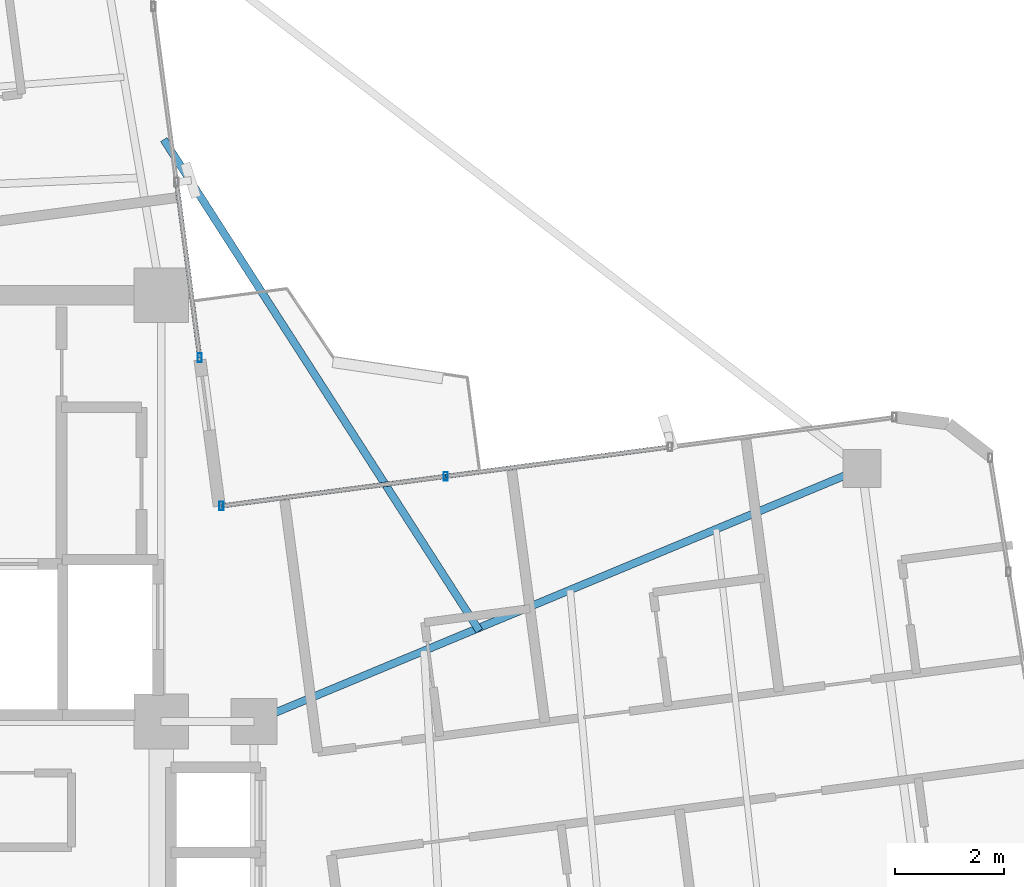
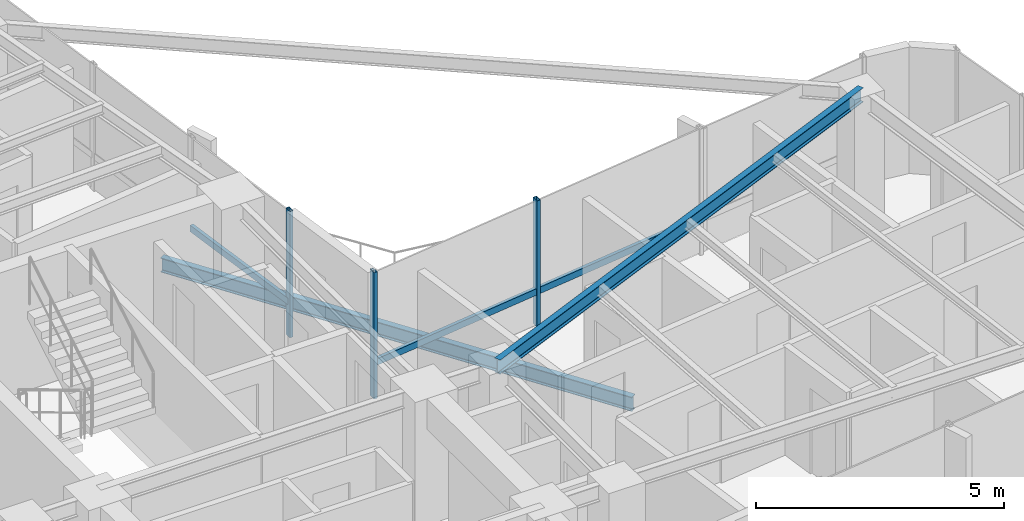
# One storey, part 10 of 22: 6 members, 2 beams, 2 elements without a shape of their own.
"""IFC4 building model written with IfcOpenShell, lengths in metres."""

from ifc_helpers import new_model, si_unit, direction, frame, origin, origin_2d, place, context, subcontext, project, spatial, hollow_rectangle, i_section, extrude, source, transform, mapped, material, material_profile, profile_set, type_object, element, aggregate, save


model = new_model("IFC4")

# Units and contexts
model_context = context("Model", 3, precision=1e-05, world=origin(), true_north=direction((0.0, 1.0)))
body_context = subcontext(model_context, "Body", "Model", "MODEL_VIEW")
ifc_project = project(units=[si_unit("LENGTHUNIT", "METRE"), si_unit("AREAUNIT", "SQUARE_METRE"), si_unit("VOLUMEUNIT", "CUBIC_METRE"), si_unit("PLANEANGLEUNIT", "RADIAN"), si_unit("MASSUNIT", "GRAM", prefix="KILO")], contexts=[model_context])

# Site, building, storey
site_placement = place(None, origin())
site = spatial("IfcSite", under=ifc_project, at=site_placement, CompositionType="ELEMENT")
building_placement = place(site_placement, origin())
building = spatial("IfcBuilding", under=site, at=building_placement, Name="Sahyath Konkavel Grand Hotel", CompositionType="ELEMENT")
storey_placement = place(building_placement, frame((0.0, 0.0, 206.5)))
storey = spatial("IfcBuildingStorey", under=building, at=storey_placement, Name="L57", CompositionType="ELEMENT", Elevation=206.5)

# Beam
ifc_material_1 = material(Name="Steel E350", Category="steel")
ifc_material_profile_1 = material_profile(ifc_material_1, i_section(OverallWidth=0.139892578125, OverallDepth=0.35009765625, WebThickness=0.008056640625, FlangeThickness=0.01416015625, FilletRadius=0.013916015625, at=origin_2d()), Name="ISMB 350")
ifc_profile_set_1 = profile_set([ifc_material_profile_1], Name="Steel E350")
beam_type_1 = type_object("IfcBeamType", Name="BM-ISMB350", PredefinedType="BEAM", material=ifc_profile_set_1)
shared_shape_1 = source(origin(), body_context, "Body", "SweptSolid", [
    extrude(i_section(OverallWidth=0.139892578125, OverallDepth=0.35009765625, WebThickness=0.008056640625, FlangeThickness=0.01416015625, FilletRadius=0.013916015625, at=origin_2d()), origin(), (0.0, 0.0, 1.0), 12.049560546875),
])
beam_1_placement = place(storey_placement, frame((5.5, 2.39990234375, 2.93505859375), z_axis=(0.923226714744, 0.384255687248, 0.0), x_axis=(-0.384255687248, 0.923226714744, 0.0)))
element("IfcBeam", 1, at=beam_1_placement, inside=storey, type_object=beam_type_1, Name="L57 Cruciform Radial Girder EB", PredefinedType="BEAM", context=body_context, shape_type="MappedRepresentation", body=[
    mapped(shared_shape_1, transform((0.0, 0.0, 0.0), scale=1.0)),
])

# Curtain wall, members
ifc_material_2 = material(Name="Anodised Bronze Aluminium & Low-E Glazing", Category="aluminium")
curtain_wall_type = type_object("IfcCurtainWallType", Name="CW-ZONE4", PredefinedType="NOTDEFINED", material=ifc_material_2)
curtain_wall_1_placement = place(storey_placement, origin())
curtain_wall_1 = element("IfcCurtainWall", 2, at=curtain_wall_1_placement, inside=storey, type_object=curtain_wall_type, Name="L57 Unitised Curtain Wall F7", PredefinedType="NOTDEFINED")
ifc_material_3 = material(Name="Anodised Bronze Aluminium", Category="aluminium")
ifc_material_profile_2 = material_profile(ifc_material_3, hollow_rectangle(XDim=0.080078125, YDim=0.159912109375, WallThickness=0.006103515625, at=origin_2d()), Name="RHS 160x80x6")
ifc_profile_set_2 = profile_set([ifc_material_profile_2], Name="Anodised Bronze Aluminium")
member_type_1 = type_object("IfcMemberType", Name="CW-MUL-160", PredefinedType="MULLION", material=ifc_profile_set_2)
shared_shape_2 = source(origin(), body_context, "Body", "SweptSolid", [
    extrude(hollow_rectangle(XDim=0.080078125, YDim=0.159912109375, WallThickness=0.006103515625, at=origin_2d()), origin(), (0.0, 0.0, 1.0), 3.110107421875),
])
member_1_placement = place(storey_placement, frame((9.008544921875, 6.884765625, 0.0), z_axis=(0.0, 0.0, 1.0), x_axis=(1.0, 0.0, 0.0)))
member_1 = element("IfcMember", 3, at=member_1_placement, type_object=member_type_1, Name="L57 Curtain Wall Mullion F7-2", PredefinedType="MULLION", context=body_context, shape_type="MappedRepresentation", body=[
    mapped(shared_shape_2, transform((0.0, 0.0, 0.0), scale=1.0)),
])
member_2_placement = place(storey_placement, frame((4.90380859375, 6.34423828125, 0.0), z_axis=(0.0, 0.0, 1.0), x_axis=(1.0, 0.0, 0.0)))
member_2 = element("IfcMember", 4, at=member_2_placement, type_object=member_type_1, Name="L57 Curtain Wall Mullion F7-3", PredefinedType="MULLION", context=body_context, shape_type="MappedRepresentation", body=[
    mapped(shared_shape_2, transform((0.0, 0.0, 0.0), scale=1.0)),
])

# Curtain wall, member
curtain_wall_2_placement = place(storey_placement, origin())
curtain_wall_2 = element("IfcCurtainWall", 5, at=curtain_wall_2_placement, inside=storey, type_object=curtain_wall_type, Name="L57 Unitised Curtain Wall F8", PredefinedType="NOTDEFINED")
member_3_placement = place(storey_placement, frame((4.506591796875, 9.0556640625, 0.0), z_axis=(0.0, 0.0, 1.0), x_axis=(1.0, 0.0, 0.0)))
member_3 = element("IfcMember", 6, at=member_3_placement, type_object=member_type_1, Name="L57 Curtain Wall Mullion F8-0", PredefinedType="MULLION", context=body_context, shape_type="MappedRepresentation", body=[
    mapped(shared_shape_2, transform((0.0, 0.0, 0.0), scale=1.0)),
])

# Beam
ifc_material_profile_3 = material_profile(ifc_material_1, i_section(OverallWidth=0.139892578125, OverallDepth=0.35009765625, WebThickness=0.008056640625, FlangeThickness=0.01416015625, FilletRadius=0.013916015625, at=origin_2d()), Name="ISMB 350")
ifc_profile_set_3 = profile_set([ifc_material_profile_3], Name="Steel E350")
beam_type_2 = type_object("IfcBeamType", Name="BM-BALC-CANT", PredefinedType="BEAM", material=ifc_profile_set_3)
shared_shape_3 = source(origin(), body_context, "Body", "SweptSolid", [
    extrude(i_section(OverallWidth=0.139892578125, OverallDepth=0.35009765625, WebThickness=0.008056640625, FlangeThickness=0.01416015625, FilletRadius=0.013916015625, at=origin_2d()), origin(), (0.0, 0.0, 1.0), 10.685302734375),
])
beam_2_placement = place(storey_placement, frame((9.62353515625, 4.0576171875, -0.4150390625), z_axis=(-0.540404181048, 0.841405562797, 0.0), x_axis=(-0.841405562797, -0.540404181048, 0.0)))
element("IfcBeam", 7, at=beam_2_placement, inside=storey, type_object=beam_type_2, Name="L57 Balcony Cantilever Support Beam NE", PredefinedType="BEAM", context=body_context, shape_type="MappedRepresentation", body=[
    mapped(shared_shape_3, transform((0.0, 0.0, 0.0), scale=1.0)),
])

# Member
ifc_material_profile_4 = material_profile(ifc_material_3, hollow_rectangle(XDim=0.080078125, YDim=0.159912109375, WallThickness=0.006103515625, at=origin_2d()), Name="RHS 160x80x6")
ifc_profile_set_4 = profile_set([ifc_material_profile_4], Name="Anodised Bronze Aluminium")
member_type_2 = type_object("IfcMemberType", Name="CW-TRN-160", PredefinedType="USERDEFINED", material=ifc_profile_set_4)
shared_shape_4 = source(origin(), body_context, "Body", "SweptSolid", [
    extrude(hollow_rectangle(XDim=0.080078125, YDim=0.159912109375, WallThickness=0.006103515625, at=origin_2d()), origin(), (0.0, 0.0, 1.0), 3.240234375),
])
member_4_placement = place(storey_placement, frame((4.506591796875, 9.0556640625, 0.85009765625), z_axis=(-0.130505189885, 0.991447626157, 0.0), x_axis=(-0.991447626157, -0.130505189885, 0.0)))
member_4 = element("IfcMember", 8, at=member_4_placement, type_object=member_type_2, Name="L57 Curtain Wall Transom F8-0-spandrel", ObjectType="TRANSOM", PredefinedType="USERDEFINED", context=body_context, shape_type="MappedRepresentation", body=[
    mapped(shared_shape_4, transform((0.0, 0.0, 0.0), scale=1.0)),
])

aggregate(curtain_wall_2, [member_3, member_4])

shared_shape_5 = source(origin(), body_context, "Body", "SweptSolid", [
    extrude(hollow_rectangle(XDim=0.080078125, YDim=0.159912109375, WallThickness=0.006103515625, at=origin_2d()), origin(), (0.0, 0.0, 1.0), 4.139892578125),
])
member_5_placement = place(storey_placement, frame((13.113037109375, 7.425048828125, 0.85009765625), z_axis=(-0.991447469582, -0.130506379383, 0.0), x_axis=(0.130506379383, -0.991447469582, 0.0)))
member_5 = element("IfcMember", 9, at=member_5_placement, type_object=member_type_2, Name="L57 Curtain Wall Transom F7-1-spandrel", ObjectType="TRANSOM", PredefinedType="USERDEFINED", context=body_context, shape_type="MappedRepresentation", body=[
    mapped(shared_shape_5, transform((0.0, 0.0, 0.0), scale=1.0)),
])

shared_shape_6 = source(origin(), body_context, "Body", "SweptSolid", [
    extrude(hollow_rectangle(XDim=0.080078125, YDim=0.159912109375, WallThickness=0.006103515625, at=origin_2d()), origin(), (0.0, 0.0, 1.0), 4.14013671875),
])
member_6_placement = place(storey_placement, frame((9.008544921875, 6.884765625, 0.85009765625), z_axis=(-0.99144084268, -0.130556713596, 0.0), x_axis=(0.130556713596, -0.99144084268, 0.0)))
member_6 = element("IfcMember", 10, at=member_6_placement, type_object=member_type_2, Name="L57 Curtain Wall Transom F7-2-spandrel", ObjectType="TRANSOM", PredefinedType="USERDEFINED", context=body_context, shape_type="MappedRepresentation", body=[
    mapped(shared_shape_6, transform((0.0, 0.0, 0.0), scale=1.0)),
])

aggregate(curtain_wall_1, [member_1, member_2, member_5, member_6])

save(model, "model.ifc")
